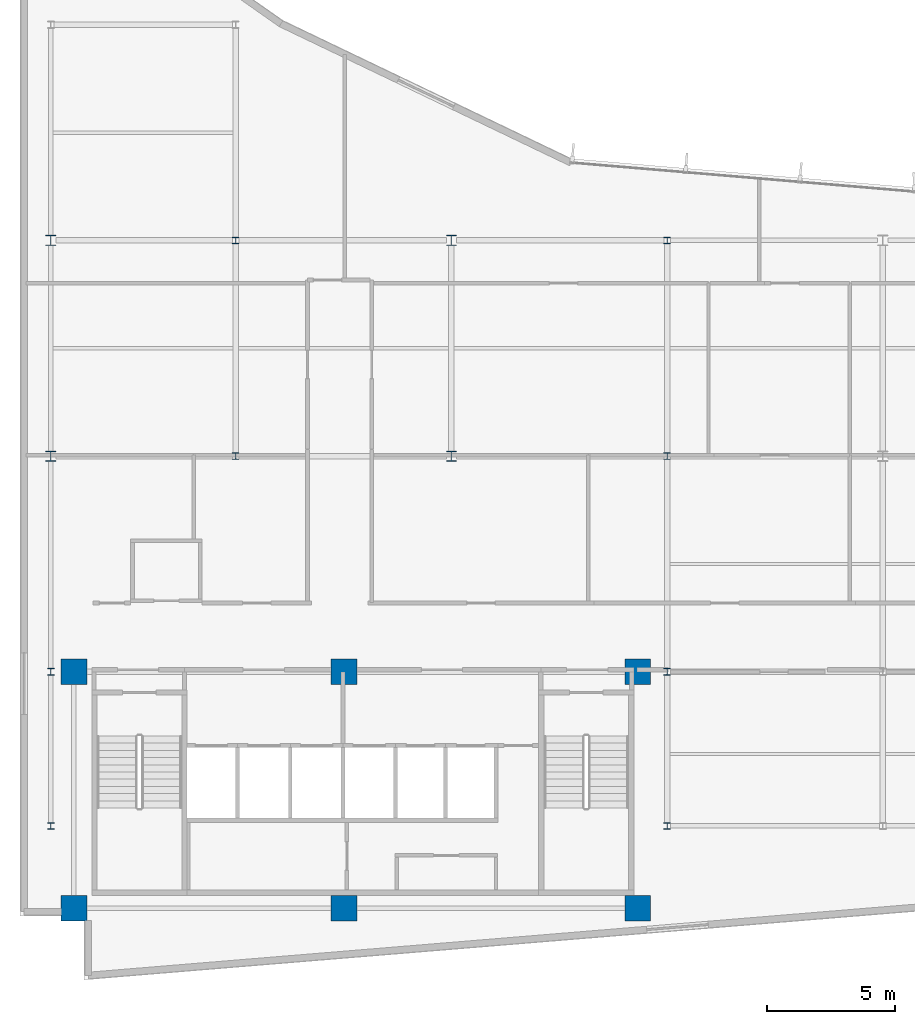
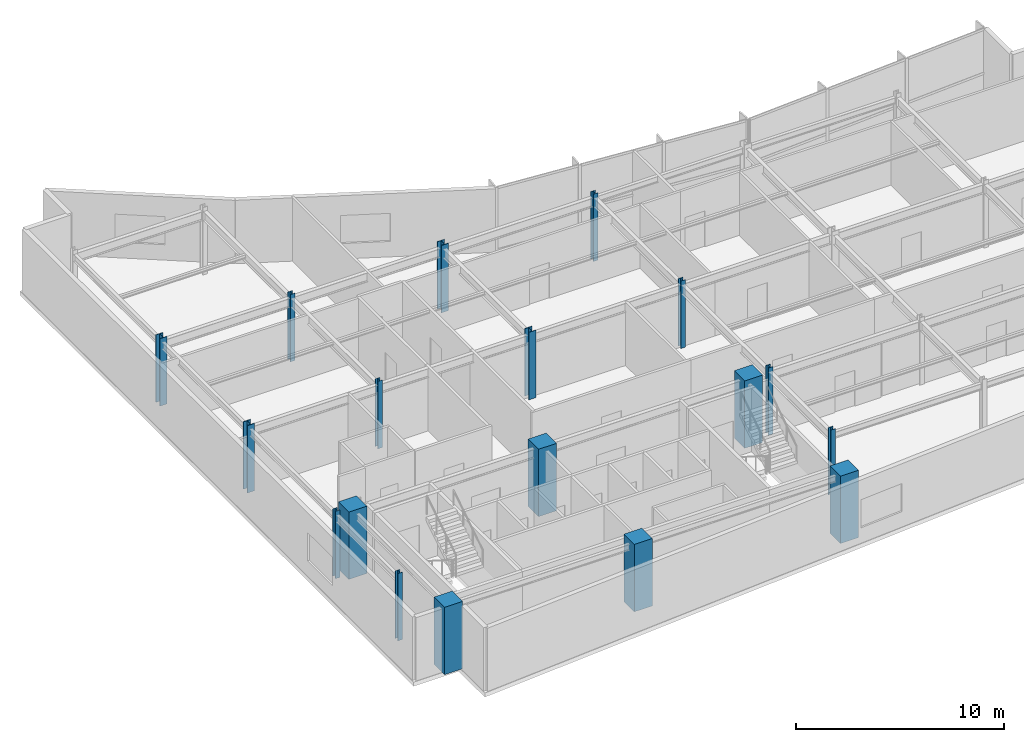
# One storey, part 1 of 14: 18 columns.
"""IFC4 building model written with IfcOpenShell, lengths in metres."""

from ifc_helpers import new_model, si_unit, direction, frame, origin, origin_2d, place, context, subcontext, project, spatial, rectangle, i_section, extrude, material, material_profile, profile_set, type_object, element, save


model = new_model("IFC4")

# Units and contexts
model_context = context("Model", 3, precision=1e-05, world=origin(), true_north=direction((0.0, 1.0)))
body_context = subcontext(model_context, "Body", "Model", "MODEL_VIEW")
ifc_project = project(units=[si_unit("LENGTHUNIT", "METRE"), si_unit("AREAUNIT", "SQUARE_METRE"), si_unit("VOLUMEUNIT", "CUBIC_METRE"), si_unit("PLANEANGLEUNIT", "RADIAN"), si_unit("MASSUNIT", "GRAM", prefix="KILO")], contexts=[model_context])

# Site, building, storey
site_placement = place(None, origin())
site = spatial("IfcSite", under=ifc_project, at=site_placement, CompositionType="ELEMENT")
building_placement = place(site_placement, origin())
building = spatial("IfcBuilding", under=site, at=building_placement, Name="Varnakote Quay Hospital", CompositionType="ELEMENT")
storey_placement = place(building_placement, frame((0.0, 0.0, 215.800048828125)))
storey = spatial("IfcBuildingStorey", under=building, at=storey_placement, Name="L53", CompositionType="ELEMENT", Elevation=215.800048828125)

# Columns
ifc_material_1 = material(Name="Concrete N65 (f'c 65 MPa)", Category="concrete")
ifc_material_profile_1 = material_profile(ifc_material_1, rectangle(XDim=1.0, YDim=1.0, at=origin_2d()), Name="RC-COL-1000x1000")
ifc_profile_set_1 = profile_set([ifc_material_profile_1], Name="Concrete N65 (f'c 65 MPa)")
column_type_1 = type_object("IfcColumnType", Name="COL-RC-1000", PredefinedType="COLUMN", material=ifc_profile_set_1)
for number, where, z_axis, x_axis, name in (
    (1, (2.10009765625, 2.800048828125, 0.0), (0.0, 0.0, 1.0), (1.0, 0.0, 0.0), "L53 Structural Column C-2-3"),
    (2, (12.6201171875, 2.800048828125, 0.0), (0.0, 0.0, 1.0), (1.0, 0.0, 0.0), "L53 Structural Column C-13-3"),
    (3, (24.050048828125, 2.800048828125, 0.0), (0.0, 0.0, 1.0), (1.0, 0.0, 0.0), "L53 Structural Column C-24-3"),
    (4, (2.10009765625, 12.0, 0.0), (0.0, 0.0, 1.0), (1.0, 0.0, 0.0), "L53 Structural Column C-2-12"),
    (5, (12.6201171875, 12.0, 0.0), (0.0, 0.0, 1.0), (1.0, 0.0, 0.0), "L53 Structural Column C-13-12"),
    (6, (24.050048828125, 12.0, 0.0), (0.0, 0.0, 1.0), (1.0, 0.0, 0.0), "L53 Structural Column C-24-12"),
):
    element("IfcColumn", number, at=place(storey_placement, frame(where, z_axis=z_axis, x_axis=x_axis)), inside=storey, type_object=column_type_1, Name=name, PredefinedType="COLUMN", context=body_context, shape_type="SweptSolid", body=[
        extrude(rectangle(XDim=1.0, YDim=1.0, at=origin_2d()), origin(), (0.0, 0.0, 1.0), 3.949951171875),
    ])
ifc_material_2 = material(Name="Structural steel AS/NZS 3679.1 Grade 350 L0 (fy 340 MPa)", Category="steel")
ifc_material_profile_2 = material_profile(ifc_material_2, i_section(OverallWidth=0.256103515625, OverallDepth=0.260009765625, WebThickness=0.010498046875, FlangeThickness=0.017333984375, FilletRadius=0.0126953125, at=origin_2d()), Name="250UC89.5")
ifc_profile_set_2 = profile_set([ifc_material_profile_2], Name="Structural steel AS/NZS 3679.1 Grade 350 L0 (fy 340 MPa)")
column_type_2 = type_object("IfcColumnType", Name="COL-STL-250UC89-5", PredefinedType="COLUMN", material=ifc_profile_set_2)
for number, where, z_axis, x_axis, name in (
    (7, (1.199951171875, 6.0, 0.0), (0.0, 0.0, 1.0), (1.0, 0.0, 0.0), "L53 Structural Column C-1-6"),
    (8, (25.199951171875, 6.0, 0.0), (0.0, 0.0, 1.0), (1.0, 0.0, 0.0), "L53 Structural Column C-25-6"),
    (9, (1.199951171875, 12.0, 0.0), (0.0, 0.0, 1.0), (1.0, 0.0, 0.0), "L53 Structural Column C-1-12"),
    (10, (25.199951171875, 12.0, 0.0), (0.0, 0.0, 1.0), (1.0, 0.0, 0.0), "L53 Structural Column C-25-12"),
    (11, (8.39990234375, 20.39990234375, 0.0), (0.0, 0.0, 1.0), (1.0, 0.0, 0.0), "L53 Structural Column C-8-20"),
    (12, (25.199951171875, 20.39990234375, 0.0), (0.0, 0.0, 1.0), (1.0, 0.0, 0.0), "L53 Structural Column C-25-20"),
    (13, (8.39990234375, 28.800048828125, 0.0), (0.0, 0.0, 1.0), (1.0, 0.0, 0.0), "L53 Structural Column C-8-29"),
    (14, (25.199951171875, 28.800048828125, 0.0), (0.0, 0.0, 1.0), (1.0, 0.0, 0.0), "L53 Structural Column C-25-29"),
):
    element("IfcColumn", number, at=place(storey_placement, frame(where, z_axis=z_axis, x_axis=x_axis)), inside=storey, type_object=column_type_2, Name=name, PredefinedType="COLUMN", context=body_context, shape_type="SweptSolid", body=[
        extrude(i_section(OverallWidth=0.256103515625, OverallDepth=0.260009765625, WebThickness=0.010498046875, FlangeThickness=0.017333984375, FilletRadius=0.0126953125, at=origin_2d()), origin(), (0.0, 0.0, 1.0), 3.949951171875),
    ])
ifc_material_3 = material(Name="Structural steel AS/NZS 3678 Grade 350 (fy 340 MPa)", Category="steel")
ifc_material_profile_3 = material_profile(ifc_material_3, i_section(OverallWidth=0.39990234375, OverallDepth=0.404052734375, WebThickness=0.02001953125, FlangeThickness=0.031982421875, at=origin_2d()), Name="400WC270")
ifc_profile_set_3 = profile_set([ifc_material_profile_3], Name="Structural steel AS/NZS 3678 Grade 350 (fy 340 MPa)")
column_type_3 = type_object("IfcColumnType", Name="COL-STL-400WC270", PredefinedType="COLUMN", material=ifc_profile_set_3)
for number, where, z_axis, x_axis, name in (
    (15, (1.199951171875, 20.39990234375, 0.0), (0.0, 0.0, 1.0), (1.0, 0.0, 0.0), "L53 Structural Column C-1-20"),
    (16, (16.800048828125, 20.39990234375, 0.0), (0.0, 0.0, 1.0), (1.0, 0.0, 0.0), "L53 Structural Column C-17-20"),
    (17, (1.199951171875, 28.800048828125, 0.0), (0.0, 0.0, 1.0), (1.0, 0.0, 0.0), "L53 Structural Column C-1-29"),
    (18, (16.800048828125, 28.800048828125, 0.0), (0.0, 0.0, 1.0), (1.0, 0.0, 0.0), "L53 Structural Column C-17-29"),
):
    element("IfcColumn", number, at=place(storey_placement, frame(where, z_axis=z_axis, x_axis=x_axis)), inside=storey, type_object=column_type_3, Name=name, PredefinedType="COLUMN", context=body_context, shape_type="SweptSolid", body=[
        extrude(i_section(OverallWidth=0.39990234375, OverallDepth=0.404052734375, WebThickness=0.02001953125, FlangeThickness=0.031982421875, at=origin_2d()), origin(), (0.0, 0.0, 1.0), 3.949951171875),
    ])

save(model, "model.ifc")
